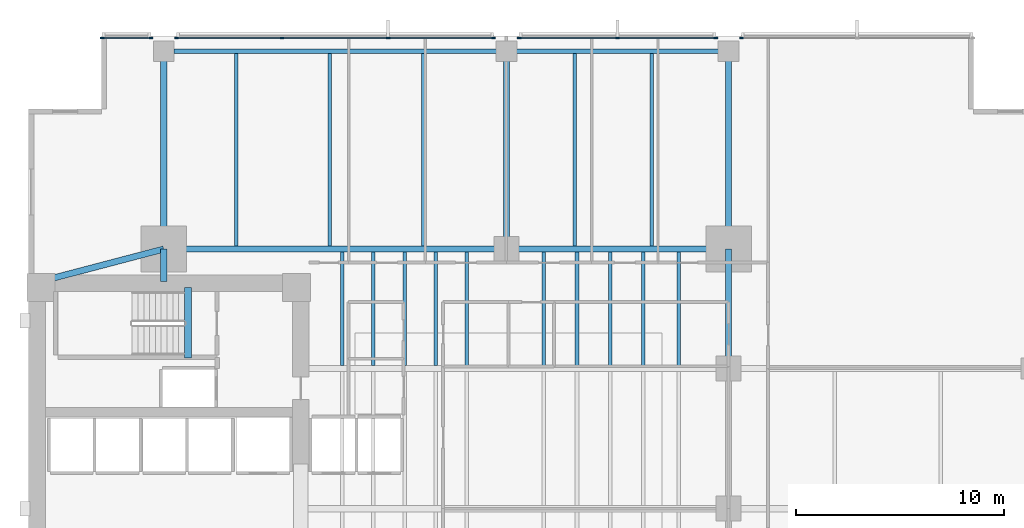
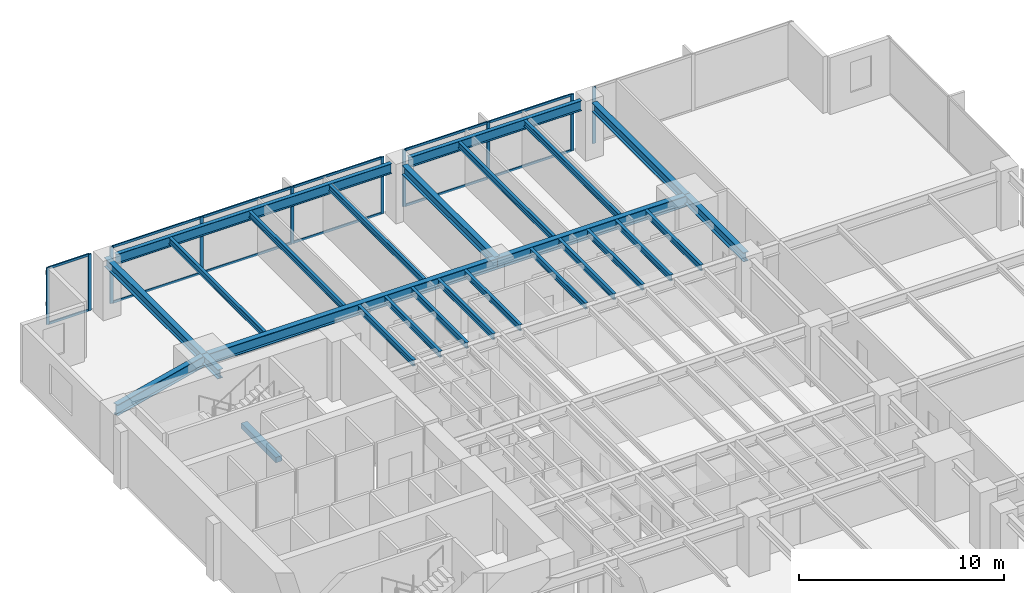
# One storey, part 5 of 15: 26 beams, 22 members, 4 elements without a shape of their own.
"""IFC4 building model written with IfcOpenShell, lengths in metres."""

from ifc_helpers import new_model, si_unit, direction, frame, origin, origin_2d, place, context, subcontext, project, spatial, rectangle, i_section, extrude, material, layer, layer_set, material_profile, profile_set, type_object, element, aggregate, save


model = new_model("IFC4")

# Units and contexts
model_context = context("Model", 3, precision=1e-05, world=origin(), true_north=direction((0.0, 1.0)))
body_context = subcontext(model_context, "Body", "Model", "MODEL_VIEW")
ifc_project = project(units=[si_unit("LENGTHUNIT", "METRE"), si_unit("AREAUNIT", "SQUARE_METRE"), si_unit("VOLUMEUNIT", "CUBIC_METRE"), si_unit("PLANEANGLEUNIT", "RADIAN"), si_unit("MASSUNIT", "GRAM", prefix="KILO")], contexts=[model_context])

# Site, building, storey
site_placement = place(None, origin())
site = spatial("IfcSite", under=ifc_project, at=site_placement, CompositionType="ELEMENT")
building_placement = place(site_placement, origin())
building = spatial("IfcBuilding", under=site, at=building_placement, Name="Kinhvarn Gate Tower", CompositionType="ELEMENT")
storey_placement = place(building_placement, frame((0.0, 0.0, 46.89990234375)))
storey = spatial("IfcBuildingStorey", under=building, at=storey_placement, Name="L11", CompositionType="ELEMENT", Elevation=46.89990234375)

# Beam
ifc_material_1 = material(Name="Concrete C50/60", Category="concrete")
ifc_material_profile_1 = material_profile(ifc_material_1, rectangle(XDim=0.340087890625, YDim=0.320068359375, at=origin_2d()), Name="RC 340x320")
ifc_profile_set_1 = profile_set([ifc_material_profile_1], Name="Concrete C50/60")
beam_type_1 = type_object("IfcBeamType", Name="BM-LND-500", PredefinedType="BEAM", material=ifc_profile_set_1)
beam_1_placement = place(storey_placement, frame((12.1650390625, 32.5, -0.159912109375), z_axis=(0.0, 1.0, 0.0), x_axis=(-1.0, 0.0, 0.0)))
element("IfcBeam", 1, at=beam_1_placement, inside=storey, type_object=beam_type_1, Name="Stair ST2 Landing Nosing Beam (L11)", PredefinedType="BEAM", context=body_context, shape_type="SweptSolid", body=[
    extrude(rectangle(XDim=0.340087890625, YDim=0.320068359375, at=origin_2d()), origin(), (0.0, 0.0, 1.0), 3.39990234375),
])

# Curtain wall, member
ifc_material_2 = material(Name="Anodised aluminium AW-6063", Category="aluminium")
ifc_layer = layer(ifc_material_2, 0.179931640625)
ifc_layer_set = layer_set([ifc_layer], Name="Anodised aluminium AW-6063")
curtain_wall_type = type_object("IfcCurtainWallType", Name="CW-SYS-2", PredefinedType="NOTDEFINED", material=ifc_layer_set)
curtain_wall_1_placement = place(storey_placement, origin())
curtain_wall_1 = element("IfcCurtainWall", 2, at=curtain_wall_1_placement, inside=storey, type_object=curtain_wall_type, Name="Curtain Wall CW2 (L11)", PredefinedType="NOTDEFINED")
ifc_material_profile_2 = material_profile(ifc_material_2, rectangle(XDim=0.070068359375, YDim=0.179931640625, at=origin_2d()), Name="ALU 70x180")
ifc_profile_set_2 = profile_set([ifc_material_profile_2], Name="Anodised aluminium AW-6063")
member_type_1 = type_object("IfcMemberType", Name="CW-MUL-180", PredefinedType="MULLION", material=ifc_profile_set_2)
member_1_placement = place(storey_placement, frame((38.81494140625, 47.909912109375, 0.0), z_axis=(0.0, 0.0, 1.0), x_axis=(0.0, -1.0, 0.0)))
member_1 = element("IfcMember", 3, at=member_1_placement, type_object=member_type_1, Name="CW2 mullion 3", PredefinedType="MULLION", context=body_context, shape_type="SweptSolid", body=[
    extrude(rectangle(XDim=0.070068359375, YDim=0.179931640625, at=origin_2d()), origin(), (0.0, 0.0, 1.0), 3.3701171875),
])
aggregate(curtain_wall_1, [member_1])

# Curtain wall, members
curtain_wall_2_placement = place(storey_placement, origin())
curtain_wall_2 = element("IfcCurtainWall", 4, at=curtain_wall_2_placement, inside=storey, type_object=curtain_wall_type, Name="Curtain Wall CW2 (L11)", PredefinedType="NOTDEFINED")
member_2_placement = place(storey_placement, frame((37.5849609375, 47.909912109375, 0.0), z_axis=(0.0, 0.0, 1.0), x_axis=(0.0, -1.0, 0.0)))
member_2 = element("IfcMember", 5, at=member_2_placement, type_object=member_type_1, Name="CW2 mullion 1", PredefinedType="MULLION", context=body_context, shape_type="SweptSolid", body=[
    extrude(rectangle(XDim=0.070068359375, YDim=0.179931640625, at=origin_2d()), origin(), (0.0, 0.0, 1.0), 3.3701171875),
])
member_3_placement = place(storey_placement, frame((32.85009765625, 47.909912109375, 0.0), z_axis=(0.0, 0.0, 1.0), x_axis=(0.0, -1.0, 0.0)))
member_3 = element("IfcMember", 6, at=member_3_placement, type_object=member_type_1, Name="CW2 mullion 2", PredefinedType="MULLION", context=body_context, shape_type="SweptSolid", body=[
    extrude(rectangle(XDim=0.070068359375, YDim=0.179931640625, at=origin_2d()), origin(), (0.0, 0.0, 1.0), 3.3701171875),
])
member_4_placement = place(storey_placement, frame((28.114990234375, 47.909912109375, 0.0), z_axis=(0.0, 0.0, 1.0), x_axis=(0.0, -1.0, 0.0)))
member_4 = element("IfcMember", 7, at=member_4_placement, type_object=member_type_1, Name="CW2 mullion 3", PredefinedType="MULLION", context=body_context, shape_type="SweptSolid", body=[
    extrude(rectangle(XDim=0.070068359375, YDim=0.179931640625, at=origin_2d()), origin(), (0.0, 0.0, 1.0), 3.3701171875),
])

curtain_wall_3_placement = place(storey_placement, origin())
curtain_wall_3 = element("IfcCurtainWall", 8, at=curtain_wall_3_placement, inside=storey, type_object=curtain_wall_type, Name="Curtain Wall CW2 (L11)", PredefinedType="NOTDEFINED")
member_5_placement = place(storey_placement, frame((26.885009765625, 47.909912109375, 0.0), z_axis=(0.0, 0.0, 1.0), x_axis=(0.0, -1.0, 0.0)))
member_5 = element("IfcMember", 9, at=member_5_placement, type_object=member_type_1, Name="CW2 mullion 1", PredefinedType="MULLION", context=body_context, shape_type="SweptSolid", body=[
    extrude(rectangle(XDim=0.070068359375, YDim=0.179931640625, at=origin_2d()), origin(), (0.0, 0.0, 1.0), 3.3701171875),
])
member_6_placement = place(storey_placement, frame((21.806640625, 47.909912109375, 0.0), z_axis=(0.0, 0.0, 1.0), x_axis=(0.0, -1.0, 0.0)))
member_6 = element("IfcMember", 10, at=member_6_placement, type_object=member_type_1, Name="CW2 mullion 2", PredefinedType="MULLION", context=body_context, shape_type="SweptSolid", body=[
    extrude(rectangle(XDim=0.070068359375, YDim=0.179931640625, at=origin_2d()), origin(), (0.0, 0.0, 1.0), 3.3701171875),
])
member_7_placement = place(storey_placement, frame((16.693359375, 47.909912109375, 0.0), z_axis=(0.0, 0.0, 1.0), x_axis=(0.0, -1.0, 0.0)))
member_7 = element("IfcMember", 11, at=member_7_placement, type_object=member_type_1, Name="CW2 mullion 3", PredefinedType="MULLION", context=body_context, shape_type="SweptSolid", body=[
    extrude(rectangle(XDim=0.070068359375, YDim=0.179931640625, at=origin_2d()), origin(), (0.0, 0.0, 1.0), 3.3701171875),
])
member_8_placement = place(storey_placement, frame((11.614990234375, 47.909912109375, 0.0), z_axis=(0.0, 0.0, 1.0), x_axis=(0.0, -1.0, 0.0)))
member_8 = element("IfcMember", 12, at=member_8_placement, type_object=member_type_1, Name="CW2 mullion 4", PredefinedType="MULLION", context=body_context, shape_type="SweptSolid", body=[
    extrude(rectangle(XDim=0.070068359375, YDim=0.179931640625, at=origin_2d()), origin(), (0.0, 0.0, 1.0), 3.3701171875),
])

curtain_wall_4_placement = place(storey_placement, origin())
curtain_wall_4 = element("IfcCurtainWall", 13, at=curtain_wall_4_placement, inside=storey, type_object=curtain_wall_type, Name="Curtain Wall CW2 (L11)", PredefinedType="NOTDEFINED")
member_9_placement = place(storey_placement, frame((10.385009765625, 47.909912109375, 0.0), z_axis=(0.0, 0.0, 1.0), x_axis=(0.0, -1.0, 0.0)))
member_9 = element("IfcMember", 14, at=member_9_placement, type_object=member_type_1, Name="CW2 mullion 1", PredefinedType="MULLION", context=body_context, shape_type="SweptSolid", body=[
    extrude(rectangle(XDim=0.070068359375, YDim=0.179931640625, at=origin_2d()), origin(), (0.0, 0.0, 1.0), 3.3701171875),
])
member_10_placement = place(storey_placement, frame((8.034912109375, 47.909912109375, 0.0), z_axis=(0.0, 0.0, 1.0), x_axis=(0.0, -1.0, 0.0)))
member_10 = element("IfcMember", 15, at=member_10_placement, type_object=member_type_1, Name="CW2 mullion 2", PredefinedType="MULLION", context=body_context, shape_type="SweptSolid", body=[
    extrude(rectangle(XDim=0.070068359375, YDim=0.179931640625, at=origin_2d()), origin(), (0.0, 0.0, 1.0), 3.3701171875),
])

# Member
ifc_material_profile_3 = material_profile(ifc_material_2, rectangle(XDim=0.070068359375, YDim=0.139892578125, at=origin_2d()), Name="ALU 70x140")
ifc_profile_set_3 = profile_set([ifc_material_profile_3], Name="Anodised aluminium AW-6063")
member_type_2 = type_object("IfcMemberType", Name="CW-TRN-140", PredefinedType="USERDEFINED", material=ifc_profile_set_3)
member_11_placement = place(storey_placement, frame((37.550048828125, 47.909912109375, 0.03515625), z_axis=(-1.0, 0.0, 0.0), x_axis=(0.0, -1.0, 0.0)))
member_11 = element("IfcMember", 16, at=member_11_placement, type_object=member_type_2, Name="CW2 transom 1.1", ObjectType="TRANSOM", PredefinedType="USERDEFINED", context=body_context, shape_type="SweptSolid", body=[
    extrude(rectangle(XDim=0.070068359375, YDim=0.139892578125, at=origin_2d()), origin(), (0.0, 0.0, 1.0), 4.6650390625),
])

member_12_placement = place(storey_placement, frame((37.550048828125, 47.909912109375, 3.335205078125), z_axis=(-1.0, 0.0, 0.0), x_axis=(0.0, -1.0, 0.0)))
member_12 = element("IfcMember", 17, at=member_12_placement, type_object=member_type_2, Name="CW2 transom 1.2", ObjectType="TRANSOM", PredefinedType="USERDEFINED", context=body_context, shape_type="SweptSolid", body=[
    extrude(rectangle(XDim=0.070068359375, YDim=0.139892578125, at=origin_2d()), origin(), (0.0, 0.0, 1.0), 4.6650390625),
])

member_13_placement = place(storey_placement, frame((32.81494140625, 47.909912109375, 0.03515625), z_axis=(-1.0, 0.0, 0.0), x_axis=(0.0, -1.0, 0.0)))
member_13 = element("IfcMember", 18, at=member_13_placement, type_object=member_type_2, Name="CW2 transom 2.1", ObjectType="TRANSOM", PredefinedType="USERDEFINED", context=body_context, shape_type="SweptSolid", body=[
    extrude(rectangle(XDim=0.070068359375, YDim=0.139892578125, at=origin_2d()), origin(), (0.0, 0.0, 1.0), 4.6650390625),
])

member_14_placement = place(storey_placement, frame((32.81494140625, 47.909912109375, 3.335205078125), z_axis=(-1.0, 0.0, 0.0), x_axis=(0.0, -1.0, 0.0)))
member_14 = element("IfcMember", 19, at=member_14_placement, type_object=member_type_2, Name="CW2 transom 2.2", ObjectType="TRANSOM", PredefinedType="USERDEFINED", context=body_context, shape_type="SweptSolid", body=[
    extrude(rectangle(XDim=0.070068359375, YDim=0.139892578125, at=origin_2d()), origin(), (0.0, 0.0, 1.0), 4.6650390625),
])

aggregate(curtain_wall_2, [member_2, member_3, member_4, member_11, member_12, member_13, member_14])

member_15_placement = place(storey_placement, frame((26.85009765625, 47.909912109375, 0.03515625), z_axis=(-1.0, 0.0, 0.0), x_axis=(0.0, -1.0, 0.0)))
member_15 = element("IfcMember", 20, at=member_15_placement, type_object=member_type_2, Name="CW2 transom 1.1", ObjectType="TRANSOM", PredefinedType="USERDEFINED", context=body_context, shape_type="SweptSolid", body=[
    extrude(rectangle(XDim=0.070068359375, YDim=0.139892578125, at=origin_2d()), origin(), (0.0, 0.0, 1.0), 5.008544921875),
])

member_16_placement = place(storey_placement, frame((26.85009765625, 47.909912109375, 3.335205078125), z_axis=(-1.0, 0.0, 0.0), x_axis=(0.0, -1.0, 0.0)))
member_16 = element("IfcMember", 21, at=member_16_placement, type_object=member_type_2, Name="CW2 transom 1.2", ObjectType="TRANSOM", PredefinedType="USERDEFINED", context=body_context, shape_type="SweptSolid", body=[
    extrude(rectangle(XDim=0.070068359375, YDim=0.139892578125, at=origin_2d()), origin(), (0.0, 0.0, 1.0), 5.008544921875),
])

member_17_placement = place(storey_placement, frame((21.771728515625, 47.909912109375, 0.03515625), z_axis=(-1.0, 0.0, 0.0), x_axis=(0.0, -1.0, 0.0)))
member_17 = element("IfcMember", 22, at=member_17_placement, type_object=member_type_2, Name="CW2 transom 2.1", ObjectType="TRANSOM", PredefinedType="USERDEFINED", context=body_context, shape_type="SweptSolid", body=[
    extrude(rectangle(XDim=0.070068359375, YDim=0.139892578125, at=origin_2d()), origin(), (0.0, 0.0, 1.0), 5.04345703125),
])

member_18_placement = place(storey_placement, frame((21.771728515625, 47.909912109375, 3.335205078125), z_axis=(-1.0, 0.0, 0.0), x_axis=(0.0, -1.0, 0.0)))
member_18 = element("IfcMember", 23, at=member_18_placement, type_object=member_type_2, Name="CW2 transom 2.2", ObjectType="TRANSOM", PredefinedType="USERDEFINED", context=body_context, shape_type="SweptSolid", body=[
    extrude(rectangle(XDim=0.070068359375, YDim=0.139892578125, at=origin_2d()), origin(), (0.0, 0.0, 1.0), 5.04345703125),
])

member_19_placement = place(storey_placement, frame((16.658447265625, 47.909912109375, 0.03515625), z_axis=(-1.0, 0.0, 0.0), x_axis=(0.0, -1.0, 0.0)))
member_19 = element("IfcMember", 24, at=member_19_placement, type_object=member_type_2, Name="CW2 transom 3.1", ObjectType="TRANSOM", PredefinedType="USERDEFINED", context=body_context, shape_type="SweptSolid", body=[
    extrude(rectangle(XDim=0.070068359375, YDim=0.139892578125, at=origin_2d()), origin(), (0.0, 0.0, 1.0), 5.008544921875),
])

member_20_placement = place(storey_placement, frame((16.658447265625, 47.909912109375, 3.335205078125), z_axis=(-1.0, 0.0, 0.0), x_axis=(0.0, -1.0, 0.0)))
member_20 = element("IfcMember", 25, at=member_20_placement, type_object=member_type_2, Name="CW2 transom 3.2", ObjectType="TRANSOM", PredefinedType="USERDEFINED", context=body_context, shape_type="SweptSolid", body=[
    extrude(rectangle(XDim=0.070068359375, YDim=0.139892578125, at=origin_2d()), origin(), (0.0, 0.0, 1.0), 5.008544921875),
])

aggregate(curtain_wall_3, [member_5, member_6, member_7, member_8, member_15, member_16, member_17, member_18, member_19, member_20])

member_21_placement = place(storey_placement, frame((10.35009765625, 47.909912109375, 0.03515625), z_axis=(-1.0, 0.0, 0.0), x_axis=(0.0, -1.0, 0.0)))
member_21 = element("IfcMember", 26, at=member_21_placement, type_object=member_type_2, Name="CW2 transom 1.1", ObjectType="TRANSOM", PredefinedType="USERDEFINED", context=body_context, shape_type="SweptSolid", body=[
    extrude(rectangle(XDim=0.070068359375, YDim=0.139892578125, at=origin_2d()), origin(), (0.0, 0.0, 1.0), 2.280029296875),
])

member_22_placement = place(storey_placement, frame((10.35009765625, 47.909912109375, 3.335205078125), z_axis=(-1.0, 0.0, 0.0), x_axis=(0.0, -1.0, 0.0)))
member_22 = element("IfcMember", 27, at=member_22_placement, type_object=member_type_2, Name="CW2 transom 1.2", ObjectType="TRANSOM", PredefinedType="USERDEFINED", context=body_context, shape_type="SweptSolid", body=[
    extrude(rectangle(XDim=0.070068359375, YDim=0.139892578125, at=origin_2d()), origin(), (0.0, 0.0, 1.0), 2.280029296875),
])

aggregate(curtain_wall_4, [member_9, member_10, member_21, member_22])

# Beams
ifc_material_3 = material(Name="Steel S355", Category="steel")
ifc_material_profile_4 = material_profile(ifc_material_3, i_section(OverallWidth=0.300048828125, OverallDepth=0.550048828125, WebThickness=0.014892578125, FlangeThickness=0.029052734375, at=origin_2d()), Name="HEB 550")
ifc_profile_set_4 = profile_set([ifc_material_profile_4], Name="Steel S355")
beam_type_2 = type_object("IfcBeamType", Name="STL-HEB550", PredefinedType="BEAM", material=ifc_profile_set_4)
beam_2_placement = place(storey_placement, frame((11.0, 36.199951171875, 3.09521484375), z_axis=(0.0, 1.0, 0.0), x_axis=(-1.0, 0.0, 0.0)))
element("IfcBeam", 28, at=beam_2_placement, inside=storey, type_object=beam_type_2, Name="Floor Beam PG-15 (L11 MCW-CN)", PredefinedType="BEAM", context=body_context, shape_type="SweptSolid", body=[
    extrude(i_section(OverallWidth=0.300048828125, OverallDepth=0.550048828125, WebThickness=0.014892578125, FlangeThickness=0.029052734375, at=origin_2d()), origin(), (0.0, 0.0, 1.0), 1.550048828125),
])
beam_3_placement = place(storey_placement, frame((11.0, 37.75, 3.09521484375), z_axis=(0.0, 1.0, 0.0), x_axis=(-1.0, 0.0, 0.0)))
element("IfcBeam", 29, at=beam_3_placement, inside=storey, type_object=beam_type_2, Name="Floor Beam PG-15 (L11 MCW-N)", PredefinedType="BEAM", context=body_context, shape_type="SweptSolid", body=[
    extrude(i_section(OverallWidth=0.300048828125, OverallDepth=0.550048828125, WebThickness=0.014892578125, FlangeThickness=0.029052734375, at=origin_2d()), origin(), (0.0, 0.0, 1.0), 9.530029296875),
])
for number, where, z_axis, x_axis, name in (
    (30, (27.5, 37.75, 3.09521484375), (0.0, 1.0, 0.0), (-1.0, 0.0, 0.0), "Floor Beam PG-15 (L11 SP27-N-TIE)"),
    (31, (38.199951171875, 37.75, 3.09521484375), (0.0, 1.0, 0.0), (-1.0, 0.0, 0.0), "Floor Beam PG-15 (L11 MCE-N)"),
):
    element("IfcBeam", number, at=place(storey_placement, frame(where, z_axis=z_axis, x_axis=x_axis)), inside=storey, type_object=beam_type_2, Name=name, PredefinedType="BEAM", context=body_context, shape_type="SweptSolid", body=[
        extrude(i_section(OverallWidth=0.300048828125, OverallDepth=0.550048828125, WebThickness=0.014892578125, FlangeThickness=0.029052734375, at=origin_2d()), origin(), (0.0, 0.0, 1.0), 9.044921875),
    ])
beam_4_placement = place(storey_placement, frame((38.199951171875, 32.0, 3.09521484375), z_axis=(0.0, 1.0, 0.0), x_axis=(-1.0, 0.0, 0.0)))
element("IfcBeam", 32, at=beam_4_placement, inside=storey, type_object=beam_type_2, Name="Floor Beam PG-15 (L11 MG-E-32)", PredefinedType="BEAM", context=body_context, shape_type="SweptSolid", body=[
    extrude(i_section(OverallWidth=0.300048828125, OverallDepth=0.550048828125, WebThickness=0.014892578125, FlangeThickness=0.029052734375, at=origin_2d()), origin(), (0.0, 0.0, 1.0), 5.75),
])
ifc_material_profile_5 = material_profile(ifc_material_3, i_section(OverallWidth=0.300048828125, OverallDepth=0.64990234375, WebThickness=0.01611328125, FlangeThickness=0.031005859375, at=origin_2d()), Name="HEB 650")
ifc_profile_set_5 = profile_set([ifc_material_profile_5], Name="Steel S355")
beam_type_3 = type_object("IfcBeamType", Name="STL-HEB650", PredefinedType="BEAM", material=ifc_profile_set_5)
beam_5_placement = place(storey_placement, frame((11.0, 37.75, 3.045166015625), z_axis=(1.0, 0.0, 0.0), x_axis=(0.0, 1.0, 0.0)))
element("IfcBeam", 33, at=beam_5_placement, inside=storey, type_object=beam_type_3, Name="Floor Beam PG-17 (L11 MG-N1)", PredefinedType="BEAM", context=body_context, shape_type="SweptSolid", body=[
    extrude(i_section(OverallWidth=0.300048828125, OverallDepth=0.64990234375, WebThickness=0.01611328125, FlangeThickness=0.031005859375, at=origin_2d()), origin(), (0.0, 0.0, 1.0), 16.5),
])
beam_6_placement = place(storey_placement, frame((27.5, 37.75, 3.045166015625), z_axis=(1.0, 0.0, 0.0), x_axis=(0.0, 1.0, 0.0)))
element("IfcBeam", 34, at=beam_6_placement, inside=storey, type_object=beam_type_3, Name="Floor Beam PG-17 (L11 MG-N2)", PredefinedType="BEAM", context=body_context, shape_type="SweptSolid", body=[
    extrude(i_section(OverallWidth=0.300048828125, OverallDepth=0.64990234375, WebThickness=0.01611328125, FlangeThickness=0.031005859375, at=origin_2d()), origin(), (0.0, 0.0, 1.0), 10.699951171875),
])
beam_7_placement = place(storey_placement, frame((5.10009765625, 36.199951171875, 3.045166015625), z_axis=(0.967177623957, 0.254101246979, 0.0), x_axis=(-0.254101246979, 0.967177623957, 0.0)))
element("IfcBeam", 35, at=beam_7_placement, inside=storey, type_object=beam_type_3, Name="Floor Beam PG-17 (L11 MG-NW-DIAG)", PredefinedType="BEAM", context=body_context, shape_type="SweptSolid", body=[
    extrude(i_section(OverallWidth=0.300048828125, OverallDepth=0.64990234375, WebThickness=0.01611328125, FlangeThickness=0.031005859375, at=origin_2d()), origin(), (0.0, 0.0, 1.0), 6.10009765625),
])
ifc_material_profile_6 = material_profile(ifc_material_3, i_section(OverallWidth=0.169921875, OverallDepth=0.360107421875, WebThickness=0.008056640625, FlangeThickness=0.0126953125, at=origin_2d()), Name="IPE 360")
ifc_profile_set_6 = profile_set([ifc_material_profile_6], Name="Steel S355")
beam_type_4 = type_object("IfcBeamType", Name="STL-IPE360", PredefinedType="JOIST", material=ifc_profile_set_6)
for number, where, z_axis, x_axis, name in (
    (36, (19.60009765625, 32.14990234375, 3.190185546875), (0.0, 1.0, 0.0), (-1.0, 0.0, 0.0), "Floor Joist SB-04 (L11 JC-X196-3)"),
    (37, (21.10009765625, 32.14990234375, 3.190185546875), (0.0, 1.0, 0.0), (-1.0, 0.0, 0.0), "Floor Joist SB-04 (L11 JC-X211-3)"),
    (38, (22.60009765625, 32.14990234375, 3.190185546875), (0.0, 1.0, 0.0), (-1.0, 0.0, 0.0), "Floor Joist SB-04 (L11 JC-X226-3)"),
    (39, (24.10009765625, 32.14990234375, 3.190185546875), (0.0, 1.0, 0.0), (-1.0, 0.0, 0.0), "Floor Joist SB-04 (L11 JC-X241-3)"),
    (40, (25.60009765625, 32.14990234375, 3.190185546875), (0.0, 1.0, 0.0), (-1.0, 0.0, 0.0), "Floor Joist SB-04 (L11 JC-X256-3)"),
    (41, (29.300048828125, 32.14990234375, 3.190185546875), (0.0, 1.0, 0.0), (-1.0, 0.0, 0.0), "Floor Joist SB-04 (L11 JC-X293-3)"),
    (42, (30.89990234375, 32.14990234375, 3.190185546875), (0.0, 1.0, 0.0), (-1.0, 0.0, 0.0), "Floor Joist SB-04 (L11 JC-X309-3)"),
    (43, (32.5, 32.14990234375, 3.190185546875), (0.0, 1.0, 0.0), (-1.0, 0.0, 0.0), "Floor Joist SB-04 (L11 JC-X325-3)"),
    (44, (34.10009765625, 32.14990234375, 3.190185546875), (0.0, 1.0, 0.0), (-1.0, 0.0, 0.0), "Floor Joist SB-04 (L11 JC-X341-3)"),
    (45, (35.800048828125, 32.14990234375, 3.190185546875), (0.0, 1.0, 0.0), (-1.0, 0.0, 0.0), "Floor Joist SB-04 (L11 JC-X358-3)"),
):
    element("IfcBeam", number, at=place(storey_placement, frame(where, z_axis=z_axis, x_axis=x_axis)), inside=storey, type_object=beam_type_4, Name=name, PredefinedType="JOIST", context=body_context, shape_type="SweptSolid", body=[
        extrude(i_section(OverallWidth=0.169921875, OverallDepth=0.360107421875, WebThickness=0.008056640625, FlangeThickness=0.0126953125, at=origin_2d()), origin(), (0.0, 0.0, 1.0), 5.4501953125),
    ])
for number, where, z_axis, x_axis, name in (
    (46, (14.5, 37.89990234375, 3.190185546875), (0.0, 1.0, 0.0), (-1.0, 0.0, 0.0), "Floor Joist SB-04 (L11 JN-X145)"),
    (47, (19.0, 37.89990234375, 3.190185546875), (0.0, 1.0, 0.0), (-1.0, 0.0, 0.0), "Floor Joist SB-04 (L11 JN-X190)"),
    (48, (23.5, 37.89990234375, 3.190185546875), (0.0, 1.0, 0.0), (-1.0, 0.0, 0.0), "Floor Joist SB-04 (L11 JN-X235)"),
    (49, (30.800048828125, 37.89990234375, 3.190185546875), (0.0, 1.0, 0.0), (-1.0, 0.0, 0.0), "Floor Joist SB-04 (L11 JN-X308)"),
    (50, (34.5, 37.89990234375, 3.190185546875), (0.0, 1.0, 0.0), (-1.0, 0.0, 0.0), "Floor Joist SB-04 (L11 JN-X345)"),
):
    element("IfcBeam", number, at=place(storey_placement, frame(where, z_axis=z_axis, x_axis=x_axis)), inside=storey, type_object=beam_type_4, Name=name, PredefinedType="JOIST", context=body_context, shape_type="SweptSolid", body=[
        extrude(i_section(OverallWidth=0.169921875, OverallDepth=0.360107421875, WebThickness=0.008056640625, FlangeThickness=0.0126953125, at=origin_2d()), origin(), (0.0, 0.0, 1.0), 9.27001953125),
    ])
ifc_material_profile_7 = material_profile(ifc_material_3, i_section(OverallWidth=0.219970703125, OverallDepth=0.60009765625, WebThickness=0.011962890625, FlangeThickness=0.01904296875, at=origin_2d()), Name="IPE 600")
ifc_profile_set_7 = profile_set([ifc_material_profile_7], Name="Steel S355")
beam_type_5 = type_object("IfcBeamType", Name="STL-IPE600", PredefinedType="SPANDREL", material=ifc_profile_set_7)
beam_8_placement = place(storey_placement, frame((11.485107421875, 47.280029296875, 3.070068359375), z_axis=(1.0, 0.0, 0.0), x_axis=(0.0, 1.0, 0.0)))
element("IfcBeam", 51, at=beam_8_placement, inside=storey, type_object=beam_type_5, Name="Floor Spandrel SB-09 (L11 SP-N1)", PredefinedType="SPANDREL", context=body_context, shape_type="SweptSolid", body=[
    extrude(i_section(OverallWidth=0.219970703125, OverallDepth=0.60009765625, WebThickness=0.011962890625, FlangeThickness=0.01904296875, at=origin_2d()), origin(), (0.0, 0.0, 1.0), 15.52978515625),
])
beam_9_placement = place(storey_placement, frame((27.985107421875, 47.280029296875, 3.070068359375), z_axis=(1.0, 0.0, 0.0), x_axis=(0.0, 1.0, 0.0)))
element("IfcBeam", 52, at=beam_9_placement, inside=storey, type_object=beam_type_5, Name="Floor Spandrel SB-09 (L11 SP-N2)", PredefinedType="SPANDREL", context=body_context, shape_type="SweptSolid", body=[
    extrude(i_section(OverallWidth=0.219970703125, OverallDepth=0.60009765625, WebThickness=0.011962890625, FlangeThickness=0.01904296875, at=origin_2d()), origin(), (0.0, 0.0, 1.0), 9.72998046875),
])

save(model, "model.ifc")
